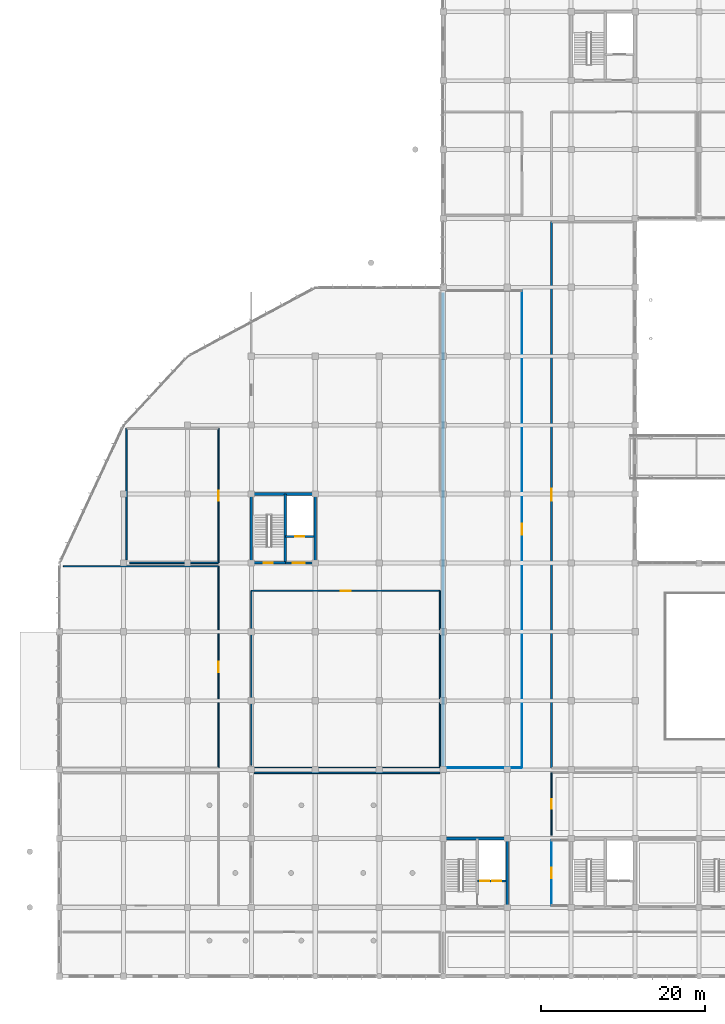
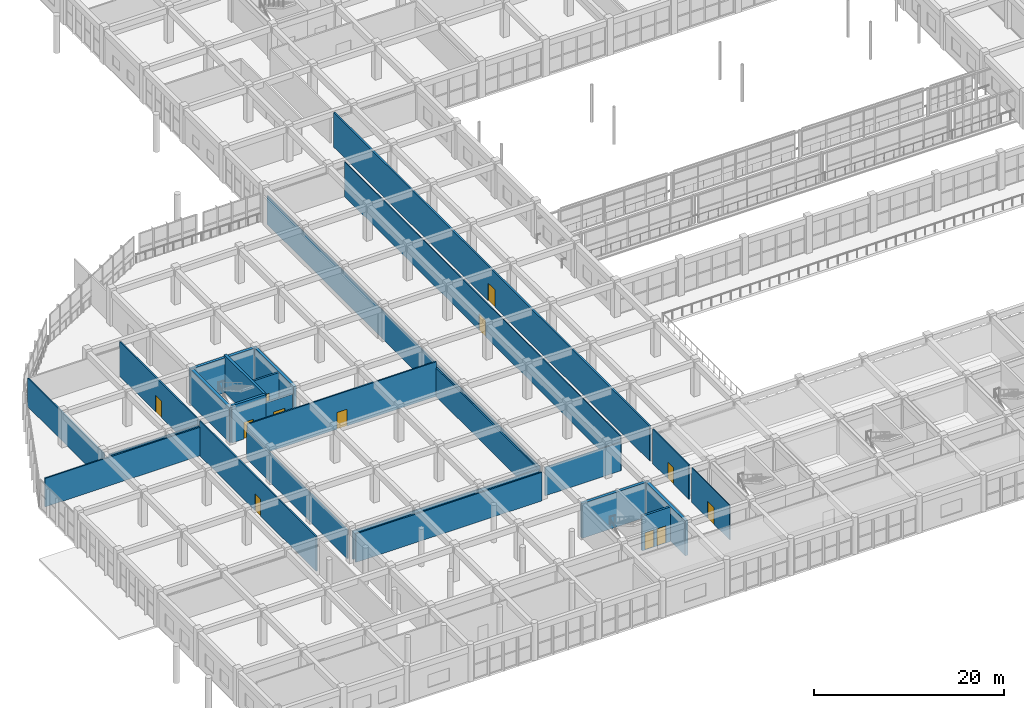
# One storey, part 159 of 175: 26 walls, 12 doors, 12 openings.
"""IFC4 building model written with IfcOpenShell, lengths in metres."""

from ifc_helpers import new_model, si_unit, direction, frame, frame_2d, origin, place, context, subcontext, project, spatial, rectangle, extrude, material, layer, layer_set, type_object, element, fill, save


model = new_model("IFC4")

# Units and contexts
model_context = context("Model", 3, precision=1e-05, world=origin(), true_north=direction((0.0, 1.0)))
body_context = subcontext(model_context, "Body", "Model", "MODEL_VIEW")
ifc_project = project(units=[si_unit("LENGTHUNIT", "METRE"), si_unit("AREAUNIT", "SQUARE_METRE"), si_unit("VOLUMEUNIT", "CUBIC_METRE"), si_unit("PLANEANGLEUNIT", "RADIAN"), si_unit("MASSUNIT", "GRAM", prefix="KILO")], contexts=[model_context])

# Site, building, storey
site_placement = place(None, origin())
site = spatial("IfcSite", under=ifc_project, at=site_placement, CompositionType="ELEMENT")
building_placement = place(site_placement, origin())
building = spatial("IfcBuilding", under=site, at=building_placement, Name="Zizhar Promenade General Hospital", CompositionType="ELEMENT")
storey_placement = place(building_placement, frame((0.0, 0.0, 4.800048828125)))
storey = spatial("IfcBuildingStorey", under=building, at=storey_placement, Name="L01", CompositionType="ELEMENT", Elevation=4.800048828125)

# Wall
ifc_material_1 = material(Name="Fire-rated corridor gypsum partition")
ifc_layer_1 = layer(ifc_material_1, 0.1650390625)
ifc_layer_set_1 = layer_set([ifc_layer_1], Name="Fire-rated corridor gypsum partition")
wall_type_1 = type_object("IfcWallType", Name="IW-CORR-165", PredefinedType="PARTITIONING", material=ifc_layer_set_1)
wall_1_placement = place(storey_placement, frame((0.5, 50.0, 0.0), z_axis=(0.0, 0.0, 1.0), x_axis=(1.0, 0.0, 0.0)))
element("IfcWall", 1, at=wall_1_placement, inside=storey, type_object=wall_type_1, Name="Emergency Short-Stay Observation Ward A N Partition", PredefinedType="PARTITIONING", context=body_context, shape_type="SweptSolid", body=[
    extrude(rectangle(XDim=18.89990234375, YDim=0.1650390625, at=frame_2d((9.449951171875, 0.0))), origin(), (0.0, 0.0, 1.0), 3.679931640625),
])

# Wall, opening, door
wall_2_placement = place(storey_placement, frame((19.39990234375, 25.39990234375, 0.0), z_axis=(0.0, 0.0, 1.0), x_axis=(0.0, 1.0, 0.0)))
wall_2 = element("IfcWall", 2, at=wall_2_placement, inside=storey, type_object=wall_type_1, Name="Emergency Short-Stay Observation Ward A E Partition", PredefinedType="PARTITIONING", context=body_context, shape_type="SweptSolid", body=[
    extrude(rectangle(XDim=24.60009765625, YDim=0.1650390625, at=frame_2d((12.300048828125, 0.0))), origin(), (0.0, 0.0, 1.0), 4.4599609375),
])
opening_1_placement = place(wall_2_placement, frame((11.675048828125, 0.0, 0.0)))
opening_1 = element("IfcOpeningElement", 3, at=opening_1_placement, cuts=wall_2, Name="Opening D-13", PredefinedType="OPENING", context=body_context, shape_type="SweptSolid", body=[
    extrude(rectangle(XDim=1.25, YDim=2.14990234375, at=frame_2d((0.625, 1.074951171875))), frame((0.0, 0.092529296875, 0.0), z_axis=(0.0, -1.0, 0.0), x_axis=(1.0, 0.0, 0.0)), (0.0, 0.0, 1.0), 0.18505859375),
])
ifc_material_2 = material(Name="Fire-rated timber clinical leaf", Category="wood")
door_type_1 = type_object("IfcDoorType", Name="DR-ED-EXAM-125x215", OperationType="NOTDEFINED", PredefinedType="DOOR", material=ifc_material_2)
door_1_placement = place(opening_1_placement, origin())
door_1 = element("IfcDoor", 4, at=door_1_placement, inside=storey, type_object=door_type_1, Name="Emergency Short-Stay Observation Ward A Door", OperationType="SINGLE_SWING_LEFT", OverallHeight=2.14990234375, OverallWidth=1.25, PredefinedType="DOOR", context=body_context, shape_type="SweptSolid", body=[
    extrude(rectangle(XDim=1.25, YDim=2.14990234375, at=frame_2d((0.625, 1.074951171875))), frame((0.0, 0.02490234375, 0.0), z_axis=(0.0, -1.0, 0.0), x_axis=(1.0, 0.0, 0.0)), (0.0, 0.0, 1.0), 0.050048828125),
])
fill(opening_1, door_1)

# Walls
wall_3_placement = place(storey_placement, frame((8.56005859375, 50.39990234375, 0.0), z_axis=(0.0, 0.0, 1.0), x_axis=(1.0, 0.0, 0.0)))
element("IfcWall", 5, at=wall_3_placement, inside=storey, type_object=wall_type_1, Name="Emergency Short-Stay Observation Ward B S Partition", PredefinedType="PARTITIONING", context=body_context, shape_type="SweptSolid", body=[
    extrude(rectangle(XDim=10.83984375, YDim=0.1650390625, at=frame_2d((5.419921875, 0.0))), origin(), (0.0, 0.0, 1.0), 3.679931640625),
])
wall_4_placement = place(storey_placement, frame((8.199951171875, 50.760009765625, 0.0), z_axis=(0.0, 0.0, 1.0), x_axis=(0.0, 1.0, 0.0)))
element("IfcWall", 6, at=wall_4_placement, inside=storey, type_object=wall_type_1, Name="Emergency Short-Stay Observation Ward B W Partition", PredefinedType="PARTITIONING", context=body_context, shape_type="SweptSolid", body=[
    extrude(rectangle(XDim=16.0400390625, YDim=0.1650390625, at=frame_2d((8.02001953125, 0.0))), origin(), (0.0, 0.0, 1.0), 3.679931640625),
])

# Wall, opening, door
wall_5_placement = place(storey_placement, frame((19.39990234375, 50.39990234375, 0.0), z_axis=(0.0, 0.0, 1.0), x_axis=(0.0, 1.0, 0.0)))
wall_5 = element("IfcWall", 7, at=wall_5_placement, inside=storey, type_object=wall_type_1, Name="Emergency Short-Stay Observation Ward B E Partition", PredefinedType="PARTITIONING", context=body_context, shape_type="SweptSolid", body=[
    extrude(rectangle(XDim=16.400146484375, YDim=0.1650390625, at=frame_2d((8.2001953125, 0.0))), origin(), (0.0, 0.0, 1.0), 4.4599609375),
])
opening_2_placement = place(wall_5_placement, frame((7.574951171875, 0.0, 0.0)))
opening_2 = element("IfcOpeningElement", 8, at=opening_2_placement, cuts=wall_5, Name="Opening D-13", PredefinedType="OPENING", context=body_context, shape_type="SweptSolid", body=[
    extrude(rectangle(XDim=1.25, YDim=2.14990234375, at=frame_2d((0.625, 1.074951171875))), frame((0.0, 0.092529296875, 0.0), z_axis=(0.0, -1.0, 0.0), x_axis=(1.0, 0.0, 0.0)), (0.0, 0.0, 1.0), 0.18505859375),
])
door_2_placement = place(opening_2_placement, origin())
door_2 = element("IfcDoor", 9, at=door_2_placement, inside=storey, type_object=door_type_1, Name="Emergency Short-Stay Observation Ward B Door", OperationType="SINGLE_SWING_RIGHT", OverallHeight=2.14990234375, OverallWidth=1.25, PredefinedType="DOOR", context=body_context, shape_type="SweptSolid", body=[
    extrude(rectangle(XDim=1.25, YDim=2.14990234375, at=frame_2d((0.625, 1.074951171875))), frame((0.0, 0.02490234375, 0.0), z_axis=(0.0, -1.0, 0.0), x_axis=(1.0, 0.0, 0.0)), (0.0, 0.0, 1.0), 0.050048828125),
])
fill(opening_2, door_2)

# Wall
wall_6_placement = place(storey_placement, frame((23.760009765625, 25.39990234375, 0.0), z_axis=(0.0, 0.0, 1.0), x_axis=(1.0, 0.0, 0.0)))
element("IfcWall", 10, at=wall_6_placement, inside=storey, type_object=wall_type_1, Name="Emergency Psychiatric and Crisis Assessment Suite S Partition", PredefinedType="PARTITIONING", context=body_context, shape_type="SweptSolid", body=[
    extrude(rectangle(XDim=22.639892578125, YDim=0.1650390625, at=frame_2d((11.31982421875, 0.0))), origin(), (0.0, 0.0, 1.0), 3.679931640625),
])

# Wall, opening, door
wall_7_placement = place(storey_placement, frame((23.39990234375, 47.0, 0.0), z_axis=(0.0, 0.0, 1.0), x_axis=(1.0, 0.0, 0.0)))
wall_7 = element("IfcWall", 11, at=wall_7_placement, inside=storey, type_object=wall_type_1, Name="Emergency Psychiatric and Crisis Assessment Suite N Partition", PredefinedType="PARTITIONING", context=body_context, shape_type="SweptSolid", body=[
    extrude(rectangle(XDim=23.0, YDim=0.1650390625, at=frame_2d((11.5, 0.0))), origin(), (0.0, 0.0, 1.0), 4.4599609375),
])
opening_3_placement = place(wall_7_placement, frame((10.875, 0.0, 0.0)))
opening_3 = element("IfcOpeningElement", 12, at=opening_3_placement, cuts=wall_7, Name="Opening D-13", PredefinedType="OPENING", context=body_context, shape_type="SweptSolid", body=[
    extrude(rectangle(XDim=1.25, YDim=2.14990234375, at=frame_2d((0.625, 1.074951171875))), frame((0.0, 0.092529296875, 0.0), z_axis=(0.0, -1.0, 0.0), x_axis=(1.0, 0.0, 0.0)), (0.0, 0.0, 1.0), 0.18505859375),
])
door_3_placement = place(opening_3_placement, origin())
door_3 = element("IfcDoor", 13, at=door_3_placement, inside=storey, type_object=door_type_1, Name="Emergency Psychiatric and Crisis Assessment Suite Door", OperationType="SINGLE_SWING_LEFT", OverallHeight=2.14990234375, OverallWidth=1.25, PredefinedType="DOOR", context=body_context, shape_type="SweptSolid", body=[
    extrude(rectangle(XDim=1.25, YDim=2.14990234375, at=frame_2d((0.625, 1.074951171875))), frame((0.0, 0.02490234375, 0.0), z_axis=(0.0, -1.0, 0.0), x_axis=(1.0, 0.0, 0.0)), (0.0, 0.0, 1.0), 0.050048828125),
])
fill(opening_3, door_3)

# Walls
wall_8_placement = place(storey_placement, frame((23.39990234375, 25.760009765625, 0.0), z_axis=(0.0, 0.0, 1.0), x_axis=(0.0, 1.0, 0.0)))
element("IfcWall", 14, at=wall_8_placement, inside=storey, type_object=wall_type_1, Name="Emergency Psychiatric and Crisis Assessment Suite W Partition", PredefinedType="PARTITIONING", context=body_context, shape_type="SweptSolid", body=[
    extrude(rectangle(XDim=21.239990234375, YDim=0.1650390625, at=frame_2d((10.6201171875, 0.0))), origin(), (0.0, 0.0, 1.0), 3.6650390625),
])
wall_9_placement = place(storey_placement, frame((46.39990234375, 25.39990234375, 0.0), z_axis=(0.0, 0.0, 1.0), x_axis=(0.0, 1.0, 0.0)))
element("IfcWall", 15, at=wall_9_placement, inside=storey, type_object=wall_type_1, Name="Emergency Psychiatric and Crisis Assessment Suite E Partition", PredefinedType="PARTITIONING", context=body_context, shape_type="SweptSolid", body=[
    extrude(rectangle(XDim=21.60009765625, YDim=0.1650390625, at=frame_2d((10.800048828125, 0.0))), origin(), (0.0, 0.0, 1.0), 3.679931640625),
])
wall_10_placement = place(storey_placement, frame((23.760009765625, 24.800048828125, 0.0), z_axis=(0.0, 0.0, 1.0), x_axis=(1.0, 0.0, 0.0)))
element("IfcWall", 16, at=wall_10_placement, inside=storey, type_object=wall_type_1, Name="Emergency Rapid-Assessment Unit East N Partition", PredefinedType="PARTITIONING", context=body_context, shape_type="SweptSolid", body=[
    extrude(rectangle(XDim=22.639892578125, YDim=0.1650390625, at=frame_2d((11.31982421875, 0.0))), origin(), (0.0, 0.0, 1.0), 3.679931640625),
])

# Wall, opening, door
ifc_material_3 = material(Name="Chemical-resistant laboratory partition")
ifc_layer_2 = layer(ifc_material_3, 0.135009765625)
ifc_layer_set_2 = layer_set([ifc_layer_2], Name="Chemical-resistant laboratory partition")
wall_type_2 = type_object("IfcWallType", Name="IW-LAB-135", PredefinedType="PARTITIONING", material=ifc_layer_set_2)
wall_11_placement = place(storey_placement, frame((60.0, 17.199951171875, 0.0), z_axis=(0.0, 0.0, 1.0), x_axis=(0.0, 1.0, 0.0)))
wall_11 = element("IfcWall", 17, at=wall_11_placement, inside=storey, type_object=wall_type_2, Name="Clinical Haematology and Biochemistry Laboratory W Partition", PredefinedType="PARTITIONING", context=body_context, shape_type="SweptSolid", body=[
    extrude(rectangle(XDim=7.60009765625, YDim=0.135009765625, at=frame_2d((3.800048828125, 0.0))), origin(), (0.0, 0.0, 1.0), 4.4599609375),
])
opening_4_placement = place(wall_11_placement, frame((3.199951171875, 0.0, 0.0)))
opening_4 = element("IfcOpeningElement", 18, at=opening_4_placement, cuts=wall_11, Name="Opening D-16", PredefinedType="OPENING", context=body_context, shape_type="SweptSolid", body=[
    extrude(rectangle(XDim=1.199951171875, YDim=2.14990234375, at=frame_2d((0.60009765625, 1.074951171875))), frame((0.0, 0.07763671875, 0.0), z_axis=(0.0, -1.0, 0.0), x_axis=(1.0, 0.0, 0.0)), (0.0, 0.0, 1.0), 0.155029296875),
])
ifc_material_4 = material(Name="Fire-rated timber laboratory leaf", Category="wood")
door_type_2 = type_object("IfcDoorType", Name="DR-LAB-120x215", OperationType="NOTDEFINED", PredefinedType="DOOR", material=ifc_material_4)
door_4_placement = place(opening_4_placement, origin())
door_4 = element("IfcDoor", 19, at=door_4_placement, inside=storey, type_object=door_type_2, Name="Clinical Haematology and Biochemistry Laboratory Door", OperationType="SINGLE_SWING_LEFT", OverallHeight=2.14990234375, OverallWidth=1.199951171875, PredefinedType="DOOR", context=body_context, shape_type="SweptSolid", body=[
    extrude(rectangle(XDim=1.199951171875, YDim=2.14990234375, at=frame_2d((0.60009765625, 1.074951171875))), frame((0.0, 0.02490234375, 0.0), z_axis=(0.0, -1.0, 0.0), x_axis=(1.0, 0.0, 0.0)), (0.0, 0.0, 1.0), 0.050048828125),
])
fill(opening_4, door_4)

ifc_material_5 = material(Name="Concrete C35/45", Category="concrete")
ifc_layer_3 = layer(ifc_material_5, 0.215087890625)
ifc_layer_set_3 = layer_set([ifc_layer_3], Name="Concrete C35/45")
wall_type_3 = type_object("IfcWallType", Name="IW-LOBBY-215", PredefinedType="STANDARD", material=ifc_layer_set_3)
wall_12_placement = place(storey_placement, frame((27.550048828125, 50.39990234375, 0.0), z_axis=(0.0, 0.0, 1.0), x_axis=(1.0, 0.0, 0.0)))
wall_12 = element("IfcWall", 20, at=wall_12_placement, inside=storey, type_object=wall_type_3, Name="Core C1 Lift Lobby South Fire Wall (L01)", PredefinedType="STANDARD", context=body_context, shape_type="SweptSolid", body=[
    extrude(rectangle(XDim=3.2900390625, YDim=0.215087890625, at=frame_2d((1.64501953125, 0.0))), origin(), (0.0, 0.0, 1.0), 3.679931640625),
])
opening_5_placement = place(wall_12_placement, frame((0.925048828125, 0.0, 0.0)))
opening_5 = element("IfcOpeningElement", 21, at=opening_5_placement, cuts=wall_12, Name="Opening D-23", PredefinedType="OPENING", context=body_context, shape_type="SweptSolid", body=[
    extrude(rectangle(XDim=1.43994140625, YDim=2.199951171875, at=frame_2d((0.719970703125, 1.10009765625))), frame((0.0, 0.11767578125, 0.0), z_axis=(0.0, -1.0, 0.0), x_axis=(1.0, 0.0, 0.0)), (0.0, 0.0, 1.0), 0.235107421875),
])
ifc_material_6 = material(Name="Fire-rated timber lift lobby pair", Category="wood")
door_type_3 = type_object("IfcDoorType", Name="DR-LOBBY-PR-144x220", OperationType="DOUBLE_DOOR_SINGLE_SWING", PredefinedType="DOOR", material=ifc_material_6)
door_5_placement = place(opening_5_placement, origin())
door_5 = element("IfcDoor", 22, at=door_5_placement, inside=storey, type_object=door_type_3, Name="Core C1 Protected Lift Lobby Door (L01)", OperationType="DOUBLE_DOOR_SINGLE_SWING", OverallHeight=2.199951171875, OverallWidth=1.43994140625, PredefinedType="DOOR", context=body_context, shape_type="SweptSolid", body=[
    extrude(rectangle(XDim=1.43994140625, YDim=2.199951171875, at=frame_2d((0.719970703125, 1.10009765625))), frame((0.0, 0.02490234375, 0.0), z_axis=(0.0, -1.0, 0.0), x_axis=(1.0, 0.0, 0.0)), (0.0, 0.0, 1.0), 0.050048828125),
])
fill(opening_5, door_5)

ifc_material_7 = material(Name="Concrete C35/45", Category="concrete")
ifc_layer_4 = layer(ifc_material_7, 0.25)
ifc_layer_set_4 = layer_set([ifc_layer_4], Name="Concrete C35/45")
wall_type_4 = type_object("IfcWallType", Name="IW-SHAFT-250", PredefinedType="STANDARD", material=ifc_layer_set_4)
wall_13_placement = place(storey_placement, frame((27.550048828125, 53.60009765625, 0.0), z_axis=(0.0, 0.0, 1.0), x_axis=(1.0, 0.0, 0.0)))
wall_13 = element("IfcWall", 23, at=wall_13_placement, inside=storey, type_object=wall_type_4, Name="Core C1 Lift Shaft Landing Wall (L01)", PredefinedType="STANDARD", context=body_context, shape_type="SweptSolid", body=[
    extrude(rectangle(XDim=3.5, YDim=0.25, at=frame_2d((1.75, 0.0))), origin(), (0.0, 0.0, 1.0), 4.4599609375),
])
opening_6_placement = place(wall_13_placement, frame((1.199951171875, 0.0, 0.0)))
opening_6 = element("IfcOpeningElement", 24, at=opening_6_placement, cuts=wall_13, Name="Opening LD-11", PredefinedType="OPENING", context=body_context, shape_type="SweptSolid", body=[
    extrude(rectangle(XDim=1.10009765625, YDim=2.199951171875, at=frame_2d((0.550048828125, 1.10009765625))), frame((0.0, 0.135009765625, 0.0), z_axis=(0.0, -1.0, 0.0), x_axis=(1.0, 0.0, 0.0)), (0.0, 0.0, 1.0), 0.27001953125),
])
ifc_material_8 = material(Name="Stainless Steel S355 passenger lift landing door", Category="steel")
door_type_4 = type_object("IfcDoorType", Name="DR-LIFT-LD11", OperationType="SLIDING_TO_LEFT", PredefinedType="DOOR", material=ifc_material_8)
door_6_placement = place(opening_6_placement, origin())
door_6 = element("IfcDoor", 25, at=door_6_placement, inside=storey, type_object=door_type_4, Name="Lift LP-01 Sliding Landing Door (L01)", OperationType="SLIDING_TO_LEFT", OverallHeight=2.199951171875, OverallWidth=1.10009765625, PredefinedType="DOOR", context=body_context, shape_type="SweptSolid", body=[
    extrude(rectangle(XDim=1.10009765625, YDim=2.199951171875, at=frame_2d((0.550048828125, 1.10009765625))), frame((0.0, 0.02490234375, 0.0), z_axis=(0.0, -1.0, 0.0), x_axis=(1.0, 0.0, 0.0)), (0.0, 0.0, 1.0), 0.050048828125),
])
fill(opening_6, door_6)

# Wall, openings, doors
wall_14_placement = place(storey_placement, frame((50.949951171875, 11.60009765625, 0.0), z_axis=(0.0, 0.0, 1.0), x_axis=(1.0, 0.0, 0.0)))
wall_14 = element("IfcWall", 26, at=wall_14_placement, inside=storey, type_object=wall_type_4, Name="Core C2 Lift Shaft Landing Wall (L01)", PredefinedType="STANDARD", context=body_context, shape_type="SweptSolid", body=[
    extrude(rectangle(XDim=3.5, YDim=0.25, at=frame_2d((1.75, 0.0))), origin(), (0.0, 0.0, 1.0), 4.4599609375),
])
opening_7_placement = place(wall_14_placement, frame((0.35009765625, 0.0, 0.0)))
opening_7 = element("IfcOpeningElement", 27, at=opening_7_placement, cuts=wall_14, Name="Opening LD-11", PredefinedType="OPENING", context=body_context, shape_type="SweptSolid", body=[
    extrude(rectangle(XDim=1.10009765625, YDim=2.199951171875, at=frame_2d((0.550048828125, 1.10009765625))), frame((0.0, 0.135009765625, 0.0), z_axis=(0.0, -1.0, 0.0), x_axis=(1.0, 0.0, 0.0)), (0.0, 0.0, 1.0), 0.27001953125),
])
opening_8_placement = place(wall_14_placement, frame((1.800048828125, 0.0, 0.0)))
opening_8 = element("IfcOpeningElement", 28, at=opening_8_placement, cuts=wall_14, Name="Opening LD-11", PredefinedType="OPENING", context=body_context, shape_type="SweptSolid", body=[
    extrude(rectangle(XDim=1.10009765625, YDim=2.199951171875, at=frame_2d((0.550048828125, 1.10009765625))), frame((0.0, 0.135009765625, 0.0), z_axis=(0.0, -1.0, 0.0), x_axis=(1.0, 0.0, 0.0)), (0.0, 0.0, 1.0), 0.27001953125),
])
door_7_placement = place(opening_7_placement, origin())
door_7 = element("IfcDoor", 29, at=door_7_placement, inside=storey, type_object=door_type_4, Name="Lift LF-01 Sliding Landing Door (L01)", OperationType="SLIDING_TO_LEFT", OverallHeight=2.199951171875, OverallWidth=1.10009765625, PredefinedType="DOOR", context=body_context, shape_type="SweptSolid", body=[
    extrude(rectangle(XDim=1.10009765625, YDim=2.199951171875, at=frame_2d((0.550048828125, 1.10009765625))), frame((0.0, 0.02490234375, 0.0), z_axis=(0.0, -1.0, 0.0), x_axis=(1.0, 0.0, 0.0)), (0.0, 0.0, 1.0), 0.050048828125),
])
fill(opening_7, door_7)
door_8_placement = place(opening_8_placement, origin())
door_8 = element("IfcDoor", 30, at=door_8_placement, inside=storey, type_object=door_type_4, Name="Lift LB-01 Sliding Landing Door (L01)", OperationType="SLIDING_TO_LEFT", OverallHeight=2.199951171875, OverallWidth=1.10009765625, PredefinedType="DOOR", context=body_context, shape_type="SweptSolid", body=[
    extrude(rectangle(XDim=1.10009765625, YDim=2.199951171875, at=frame_2d((0.550048828125, 1.10009765625))), frame((0.0, 0.02490234375, 0.0), z_axis=(0.0, -1.0, 0.0), x_axis=(1.0, 0.0, 0.0)), (0.0, 0.0, 1.0), 0.050048828125),
])
fill(opening_8, door_8)

# Wall, opening, door
ifc_material_9 = material(Name="Clean utility gypsum partition")
ifc_layer_5 = layer(ifc_material_9, 0.114990234375)
ifc_layer_set_5 = layer_set([ifc_layer_5], Name="Clean utility gypsum partition")
wall_type_5 = type_object("IfcWallType", Name="IW-STR-115", PredefinedType="PARTITIONING", material=ifc_layer_set_5)
wall_15_placement = place(storey_placement, frame((60.0, 8.60009765625, 0.0), z_axis=(0.0, 0.0, 1.0), x_axis=(0.0, 1.0, 0.0)))
wall_15 = element("IfcWall", 31, at=wall_15_placement, inside=storey, type_object=wall_type_5, Name="Clean Utility Room L01 W Partition", PredefinedType="PARTITIONING", context=body_context, shape_type="SweptSolid", body=[
    extrude(rectangle(XDim=8.0, YDim=0.114990234375, at=frame_2d((4.0, 0.0))), origin(), (0.0, 0.0, 1.0), 4.4599609375),
])
opening_9_placement = place(wall_15_placement, frame((3.340087890625, 0.0, 0.0)))
opening_9 = element("IfcOpeningElement", 32, at=opening_9_placement, cuts=wall_15, Name="Opening D-26", PredefinedType="OPENING", context=body_context, shape_type="SweptSolid", body=[
    extrude(rectangle(XDim=1.320068359375, YDim=2.14990234375, at=frame_2d((0.66015625, 1.074951171875))), frame((0.0, 0.0673828125, 0.0), z_axis=(0.0, -1.0, 0.0), x_axis=(1.0, 0.0, 0.0)), (0.0, 0.0, 1.0), 0.135009765625),
])
ifc_material_10 = material(Name="Fire-rated timber store leaf", Category="wood")
door_type_5 = type_object("IfcDoorType", Name="DR-STORE-132x215", OperationType="NOTDEFINED", PredefinedType="DOOR", material=ifc_material_10)
door_9_placement = place(opening_9_placement, origin())
door_9 = element("IfcDoor", 33, at=door_9_placement, inside=storey, type_object=door_type_5, Name="Clean Utility Room L01 Door", OperationType="SINGLE_SWING_LEFT", OverallHeight=2.14990234375, OverallWidth=1.320068359375, PredefinedType="DOOR", context=body_context, shape_type="SweptSolid", body=[
    extrude(rectangle(XDim=1.320068359375, YDim=2.14990234375, at=frame_2d((0.66015625, 1.074951171875))), frame((0.0, 0.02490234375, 0.0), z_axis=(0.0, -1.0, 0.0), x_axis=(1.0, 0.0, 0.0)), (0.0, 0.0, 1.0), 0.050048828125),
])
fill(opening_9, door_9)

# Walls
wall_16_placement = place(storey_placement, frame((47.159912109375, 25.39990234375, 0.0), z_axis=(0.0, 0.0, 1.0), x_axis=(1.0, 0.0, 0.0)))
element("IfcWall", 34, at=wall_16_placement, inside=storey, type_object=wall_type_5, Name="Interventional Cardiology Catheterisation Suite S Partition", PredefinedType="PARTITIONING", context=body_context, shape_type="SweptSolid", body=[
    extrude(rectangle(XDim=9.239990234375, YDim=0.114990234375, at=frame_2d((4.6201171875, 0.0))), origin(), (0.0, 0.0, 1.0), 3.679931640625),
])
wall_17_placement = place(storey_placement, frame((46.800048828125, 25.760009765625, 0.0), z_axis=(0.0, 0.0, 1.0), x_axis=(0.0, 1.0, 0.0)))
element("IfcWall", 35, at=wall_17_placement, inside=storey, type_object=wall_type_5, Name="Interventional Cardiology Catheterisation Suite W Partition", PredefinedType="PARTITIONING", context=body_context, shape_type="SweptSolid", body=[
    extrude(rectangle(XDim=57.47998046875, YDim=0.114990234375, at=frame_2d((28.739990234375, 0.0))), origin(), (0.0, 0.0, 1.0), 3.6650390625),
])

# Wall, opening, door
wall_18_placement = place(storey_placement, frame((56.39990234375, 25.39990234375, 0.0), z_axis=(0.0, 0.0, 1.0), x_axis=(0.0, 1.0, 0.0)))
wall_18 = element("IfcWall", 36, at=wall_18_placement, inside=storey, type_object=wall_type_5, Name="Interventional Cardiology Catheterisation Suite E Partition", PredefinedType="PARTITIONING", context=body_context, shape_type="SweptSolid", body=[
    extrude(rectangle(XDim=58.2001953125, YDim=0.114990234375, at=frame_2d((29.10009765625, 0.0))), origin(), (0.0, 0.0, 1.0), 4.4599609375),
])
opening_10_placement = place(wall_18_placement, frame((28.43994140625, 0.0, 0.0)))
opening_10 = element("IfcOpeningElement", 37, at=opening_10_placement, cuts=wall_18, Name="Opening D-26", PredefinedType="OPENING", context=body_context, shape_type="SweptSolid", body=[
    extrude(rectangle(XDim=1.320068359375, YDim=2.14990234375, at=frame_2d((0.66015625, 1.074951171875))), frame((0.0, 0.0673828125, 0.0), z_axis=(0.0, -1.0, 0.0), x_axis=(1.0, 0.0, 0.0)), (0.0, 0.0, 1.0), 0.135009765625),
])
door_10_placement = place(opening_10_placement, origin())
door_10 = element("IfcDoor", 38, at=door_10_placement, inside=storey, type_object=door_type_5, Name="Interventional Cardiology Catheterisation Suite Door", OperationType="SINGLE_SWING_LEFT", OverallHeight=2.14990234375, OverallWidth=1.320068359375, PredefinedType="DOOR", context=body_context, shape_type="SweptSolid", body=[
    extrude(rectangle(XDim=1.320068359375, YDim=2.14990234375, at=frame_2d((0.66015625, 1.074951171875))), frame((0.0, 0.02490234375, 0.0), z_axis=(0.0, -1.0, 0.0), x_axis=(1.0, 0.0, 0.0)), (0.0, 0.0, 1.0), 0.050048828125),
])
fill(opening_10, door_10)

ifc_material_11 = material(Name="Lead-lined gypsum acoustic partition")
ifc_layer_6 = layer(ifc_material_11, 0.205078125)
ifc_layer_set_6 = layer_set([ifc_layer_6], Name="Lead-lined gypsum acoustic partition")
wall_type_6 = type_object("IfcWallType", Name="IW-XRAY-205", PredefinedType="PARTITIONING", material=ifc_layer_set_6)
wall_19_placement = place(storey_placement, frame((60.0, 25.39990234375, 0.0), z_axis=(0.0, 0.0, 1.0), x_axis=(0.0, 1.0, 0.0)))
wall_19 = element("IfcWall", 39, at=wall_19_placement, inside=storey, type_object=wall_type_6, Name="Diagnostic Mammography and Bone Densitometry Imaging W Partition", PredefinedType="PARTITIONING", context=body_context, shape_type="SweptSolid", body=[
    extrude(rectangle(XDim=66.60009765625, YDim=0.205078125, at=frame_2d((33.300048828125, 0.0))), origin(), (0.0, 0.0, 1.0), 4.4599609375),
])
opening_11_placement = place(wall_19_placement, frame((32.550048828125, 0.0, 0.0)))
opening_11 = element("IfcOpeningElement", 40, at=opening_11_placement, cuts=wall_19, Name="Opening D-10", PredefinedType="OPENING", context=body_context, shape_type="SweptSolid", body=[
    extrude(rectangle(XDim=1.5, YDim=2.25, at=frame_2d((0.75, 1.125))), frame((0.0, 0.112548828125, 0.0), z_axis=(0.0, -1.0, 0.0), x_axis=(1.0, 0.0, 0.0)), (0.0, 0.0, 1.0), 0.22509765625),
])
ifc_material_12 = material(Name="Lead-lined radiation-shielded Steel S355", Category="steel")
door_type_6 = type_object("IfcDoorType", Name="DR-IMG-LEAD-150x225", OperationType="DOUBLE_DOOR_SINGLE_SWING", PredefinedType="DOOR", material=ifc_material_12)
door_11_placement = place(opening_11_placement, origin())
door_11 = element("IfcDoor", 41, at=door_11_placement, inside=storey, type_object=door_type_6, Name="Diagnostic Mammography and Bone Densitometry Imaging Door", OperationType="DOUBLE_DOOR_SINGLE_SWING", OverallHeight=2.25, OverallWidth=1.5, PredefinedType="DOOR", context=body_context, shape_type="SweptSolid", body=[
    extrude(rectangle(XDim=1.5, YDim=2.25, at=frame_2d((0.75, 1.125))), frame((0.0, 0.02490234375, 0.0), z_axis=(0.0, -1.0, 0.0), x_axis=(1.0, 0.0, 0.0)), (0.0, 0.0, 1.0), 0.050048828125),
])
fill(opening_11, door_11)

ifc_material_13 = material(Name="Concrete C40/50", Category="concrete")
ifc_layer_7 = layer(ifc_material_13, 0.300048828125)
ifc_layer_set_7 = layer_set([ifc_layer_7], Name="Concrete C40/50")
wall_type_7 = type_object("IfcWallType", Name="WL-CORE-300", PredefinedType="SHEAR", material=ifc_layer_set_7)
wall_20_placement = place(storey_placement, frame((23.39990234375, 50.39990234375, 0.0), z_axis=(0.0, 0.0, 1.0), x_axis=(1.0, 0.0, 0.0)))
wall_20 = element("IfcWall", 42, at=wall_20_placement, inside=storey, type_object=wall_type_7, Name="Core C1 Stair South Fire Wall (L01)", PredefinedType="SHEAR", context=body_context, shape_type="SweptSolid", body=[
    extrude(rectangle(XDim=4.150146484375, YDim=0.300048828125, at=frame_2d((2.0751953125, 0.0))), origin(), (0.0, 0.0, 1.0), 4.800048828125),
])
opening_12_placement = place(wall_20_placement, frame((1.514892578125, 0.0, 0.0)))
opening_12 = element("IfcOpeningElement", 43, at=opening_12_placement, cuts=wall_20, Name="Opening D-21", PredefinedType="OPENING", context=body_context, shape_type="SweptSolid", body=[
    extrude(rectangle(XDim=1.1201171875, YDim=2.14990234375, at=frame_2d((0.56005859375, 1.074951171875))), frame((0.0, 0.16015625, 0.0), z_axis=(0.0, -1.0, 0.0), x_axis=(1.0, 0.0, 0.0)), (0.0, 0.0, 1.0), 0.320068359375),
])
ifc_material_14 = material(Name="Steel S355 protected stair door", Category="steel")
door_type_7 = type_object("IfcDoorType", Name="DR-STAIR-112x215", OperationType="NOTDEFINED", PredefinedType="DOOR", material=ifc_material_14)
door_12_placement = place(opening_12_placement, origin())
door_12 = element("IfcDoor", 44, at=door_12_placement, inside=storey, type_object=door_type_7, Name="Exit Stair ST-01 Door (L01)", OperationType="SINGLE_SWING_RIGHT", OverallHeight=2.14990234375, OverallWidth=1.1201171875, PredefinedType="DOOR", context=body_context, shape_type="SweptSolid", body=[
    extrude(rectangle(XDim=1.1201171875, YDim=2.14990234375, at=frame_2d((0.56005859375, 1.074951171875))), frame((0.0, 0.02490234375, 0.0), z_axis=(0.0, -1.0, 0.0), x_axis=(1.0, 0.0, 0.0)), (0.0, 0.0, 1.0), 0.050048828125),
])
fill(opening_12, door_12)

# Walls
wall_21_placement = place(storey_placement, frame((27.550048828125, 50.39990234375, 0.0), z_axis=(0.0, 0.0, 1.0), x_axis=(0.0, 1.0, 0.0)))
element("IfcWall", 45, at=wall_21_placement, inside=storey, type_object=wall_type_7, Name="Core C1 Stair-Shaft Separation Wall (L01)", PredefinedType="SHEAR", context=body_context, shape_type="SweptSolid", body=[
    extrude(rectangle(XDim=8.400146484375, YDim=0.300048828125, at=frame_2d((4.2001953125, 0.0))), origin(), (0.0, 0.0, 1.0), 4.800048828125),
])
ifc_material_15 = material(Name="Concrete C40/50", Category="concrete")
ifc_layer_8 = layer(ifc_material_15, 0.35009765625)
ifc_layer_set_8 = layer_set([ifc_layer_8], Name="Concrete C40/50")
wall_type_8 = type_object("IfcWallType", Name="WL-CORE-350", PredefinedType="SHEAR", material=ifc_layer_set_8)
wall_22_placement = place(storey_placement, frame((23.22509765625, 58.800048828125, 0.0), z_axis=(0.0, 0.0, 1.0), x_axis=(1.0, 0.0, 0.0)))
element("IfcWall", 46, at=wall_22_placement, inside=storey, type_object=wall_type_8, Name="Core C1 North Shear Wall L01", PredefinedType="SHEAR", context=body_context, shape_type="SweptSolid", body=[
    extrude(rectangle(XDim=8.14990234375, YDim=0.35009765625, at=frame_2d((4.074951171875, 0.0))), origin(), (0.0, 0.0, 1.0), 4.47998046875),
])
for number, where, z_axis, x_axis, name in (
    (47, (23.39990234375, 50.39990234375, 0.0), (0.0, 0.0, 1.0), (0.0, 1.0, 0.0), "Core C1 West Shear Wall L01"),
    (48, (31.199951171875, 50.39990234375, 0.0), (0.0, 0.0, 1.0), (0.0, 1.0, 0.0), "Core C1 East Shear Wall L01"),
):
    element("IfcWall", number, at=place(storey_placement, frame(where, z_axis=z_axis, x_axis=x_axis)), inside=storey, type_object=wall_type_8, Name=name, PredefinedType="SHEAR", context=body_context, shape_type="SweptSolid", body=[
        extrude(rectangle(XDim=8.400146484375, YDim=0.35009765625, at=frame_2d((4.2001953125, 0.0))), origin(), (0.0, 0.0, 1.0), 4.47998046875),
    ])
wall_23_placement = place(storey_placement, frame((46.625, 16.800048828125, 0.0), z_axis=(0.0, 0.0, 1.0), x_axis=(1.0, 0.0, 0.0)))
element("IfcWall", 49, at=wall_23_placement, inside=storey, type_object=wall_type_8, Name="Core C2 North Shear Wall L01", PredefinedType="SHEAR", context=body_context, shape_type="SweptSolid", body=[
    extrude(rectangle(XDim=8.14990234375, YDim=0.35009765625, at=frame_2d((4.074951171875, 0.0))), origin(), (0.0, 0.0, 1.0), 4.47998046875),
])
wall_24_placement = place(storey_placement, frame((54.60009765625, 8.39990234375, 0.0), z_axis=(0.0, 0.0, 1.0), x_axis=(0.0, 1.0, 0.0)))
element("IfcWall", 50, at=wall_24_placement, inside=storey, type_object=wall_type_8, Name="Core C2 East Shear Wall L01", PredefinedType="SHEAR", context=body_context, shape_type="SweptSolid", body=[
    extrude(rectangle(XDim=8.400146484375, YDim=0.35009765625, at=frame_2d((4.2001953125, 0.0))), origin(), (0.0, 0.0, 1.0), 4.47998046875),
])

save(model, "model.ifc")
